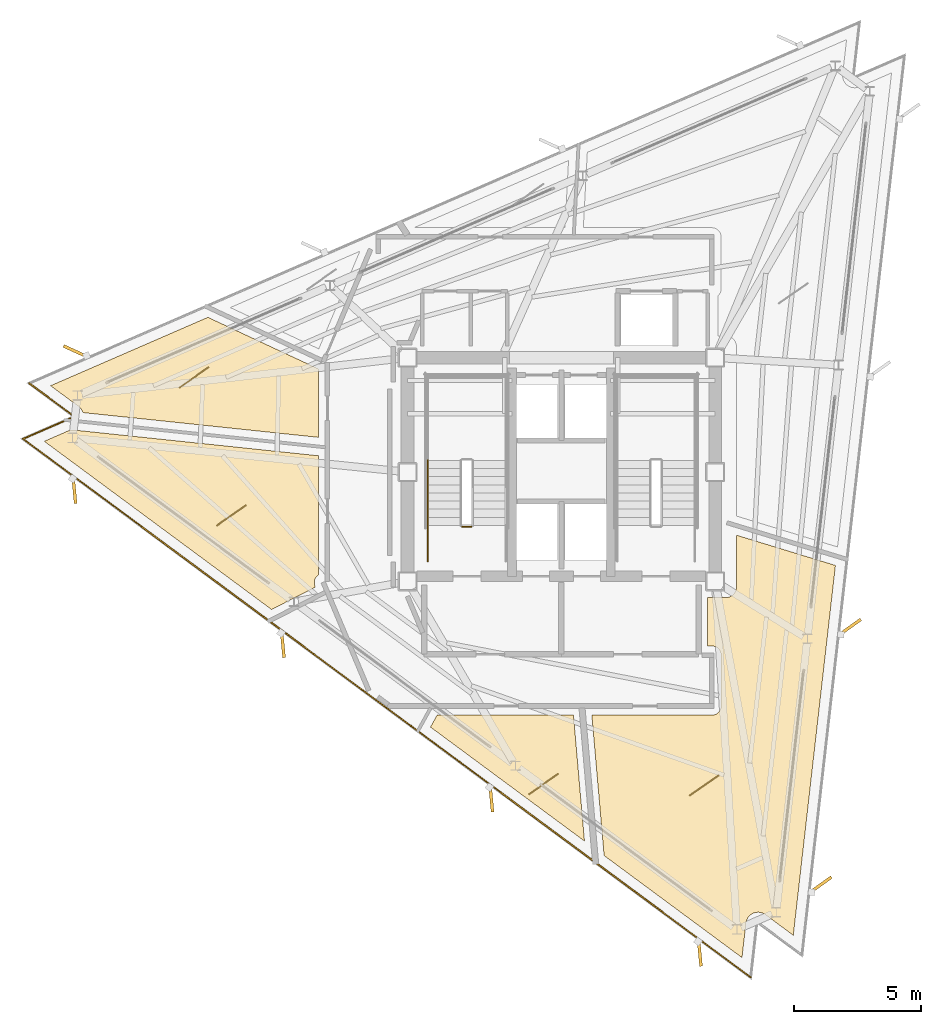
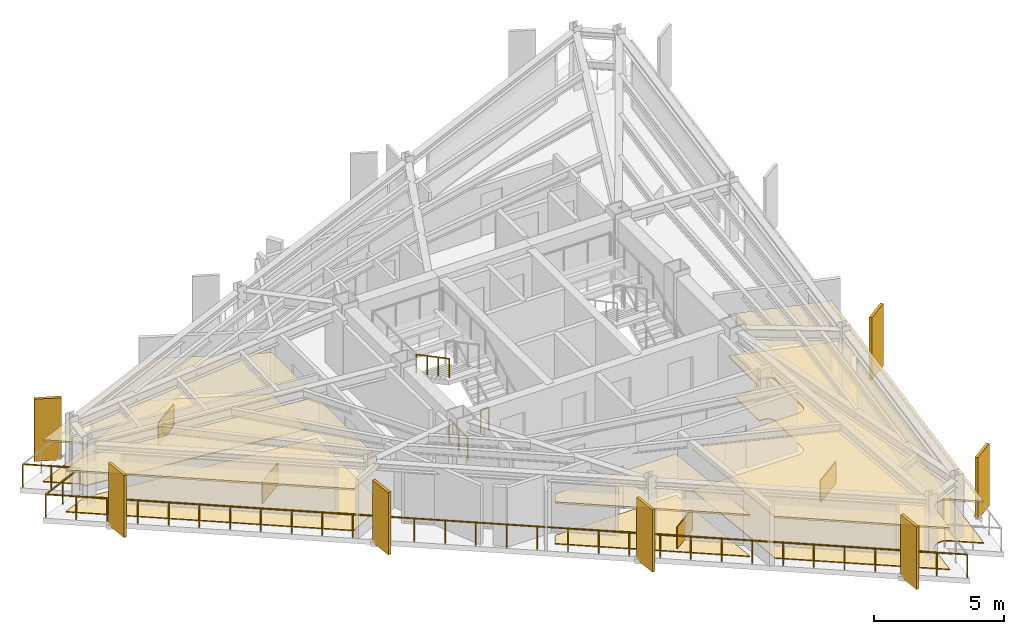
# One storey, part 8 of 10: 12 coverings, 7 shading devices, 4 railings.
"""IFC4 building model written with IfcOpenShell, lengths in metres."""

from ifc_helpers import new_model, si_unit, direction, frame, origin, origin_2d, place, context, subcontext, project, spatial, polyline, rectangle, outline, extrude, material, layer, layer_set, type_object, element, save


model = new_model("IFC4")

# Units and contexts
model_context = context("Model", 3, precision=1e-05, world=origin(), true_north=direction((0.0, 1.0)))
body_context = subcontext(model_context, "Body", "Model", "MODEL_VIEW")
ifc_project = project(units=[si_unit("LENGTHUNIT", "METRE"), si_unit("AREAUNIT", "SQUARE_METRE"), si_unit("VOLUMEUNIT", "CUBIC_METRE"), si_unit("PLANEANGLEUNIT", "RADIAN"), si_unit("MASSUNIT", "GRAM", prefix="KILO")], contexts=[model_context])

# Site, building, storey
site_placement = place(None, origin())
site = spatial("IfcSite", under=ifc_project, at=site_placement, CompositionType="ELEMENT")
building_placement = place(site_placement, origin())
building = spatial("IfcBuilding", under=site, at=building_placement, Name="Rocaltana Carrier Exchange", CompositionType="ELEMENT")
storey_placement = place(building_placement, frame((0.0, 0.0, 227.0400390625)))
storey = spatial("IfcBuildingStorey", under=building, at=storey_placement, Name="L72", CompositionType="ELEMENT", Elevation=227.0400390625)

# Coverings
ifc_material_1 = material(Name="Honed Bogota Sandstone Tile", Category="masonry")
ifc_layer_1 = layer(ifc_material_1, 0.0400390625)
ifc_layer_set_1 = layer_set([ifc_layer_1], Name="Honed Bogota Sandstone Tile")
covering_type_1 = type_object("IfcCoveringType", Name="Honed Stone Lobby Flooring 40", PredefinedType="FLOORING", material=ifc_layer_set_1)
covering_1_placement = place(storey_placement, origin())
element("IfcCovering", 1, at=covering_1_placement, inside=storey, type_object=covering_type_1, Name="L72 Client Reception Foyer Finish Floor", PredefinedType="FLOORING", context=body_context, shape_type="SweptSolid", body=[
    extrude(outline(polyline([(-19.29052734375, 1.66552734375), (-9.56005859375, 0.642822265625), (-9.56005859375, -4.052001953125), (-9.57177734375, -4.06005859375), (-9.578125, -4.064697265625), (-9.59912109375, -4.082275390625), (-9.60498046875, -4.087646484375), (-9.624267578125, -4.107177734375), (-9.629638671875, -4.113037109375), (-9.64697265625, -4.134521484375), (-9.651611328125, -4.140625), (-9.666748046875, -4.16357421875), (-9.670654296875, -4.17041015625), (-9.68359375, -4.194580078125), (-9.686767578125, -4.201904296875), (-9.697265625, -4.227294921875), (-9.69970703125, -4.234619140625), (-9.70751953125, -4.260986328125), (-9.70947265625, -4.2685546875), (-9.714599609375, -4.295654296875), (-9.7158203125, -4.30322265625), (-9.718505859375, -4.330810546875), (-9.71875, -4.33837890625), (-9.718505859375, -4.365966796875), (-9.71826171875, -4.373779296875), (-9.71533203125, -4.401123046875), (-9.714111328125, -4.408935546875), (-9.70849609375, -4.435791015625), (-9.706787109375, -4.443603515625), (-9.698486328125, -4.4697265625), (-9.69580078125, -4.47705078125), (-9.69091796875, -4.489990234375), (-9.67578125, -4.52587890625), (-11.3994140625, -5.404296875), (-20.337890625, 1.210205078125), (-19.29052734375, 1.66552734375)])), origin(), (0.0, 0.0, 1.0), 0.0400390625),
])
covering_2_placement = place(storey_placement, origin())
element("IfcCovering", 2, at=covering_2_placement, inside=storey, type_object=covering_type_1, Name="L72 Staff Break Pantry Finish Floor", PredefinedType="FLOORING", context=body_context, shape_type="SweptSolid", body=[
    extrude(outline(polyline([(0.47509765625, -9.56005859375), (0.908203125, -14.51123046875), (-5.14794921875, -10.02978515625), (-4.8876953125, -9.56005859375), (0.47509765625, -9.56005859375)])), origin(), (0.0, 0.0, 1.0), 0.0400390625),
])
covering_3_placement = place(storey_placement, origin())
element("IfcCovering", 3, at=covering_3_placement, inside=storey, type_object=covering_type_1, Name="L72 Client Reception Foyer Finish Floor", PredefinedType="FLOORING", context=body_context, shape_type="SweptSolid", body=[
    extrude(outline(polyline([(5.739990234375, -6.840087890625), (5.739990234375, -4.93994140625), (6.449951171875, -4.93994140625), (6.463623046875, -4.939697265625), (6.4794921875, -4.93896484375), (6.5068359375, -4.936279296875), (6.522216796875, -4.933837890625), (6.54931640625, -4.928466796875), (6.564453125, -4.9248046875), (6.5908203125, -4.916748046875), (6.605712890625, -4.91162109375), (6.630859375, -4.90087890625), (6.64501953125, -4.894287109375), (6.66943359375, -4.88134765625), (6.682861328125, -4.873291015625), (6.705810546875, -4.85791015625), (6.71826171875, -4.8486328125), (6.739501953125, -4.8310546875), (6.751220703125, -4.820556640625), (6.7705078125, -4.80126953125), (6.781005859375, -4.78955078125), (6.798583984375, -4.768310546875), (6.807861328125, -4.755615234375), (6.8232421875, -4.73291015625), (6.831298828125, -4.719482421875), (6.84423828125, -4.695068359375), (6.850830078125, -4.680908203125), (6.861572265625, -4.655517578125), (6.86669921875, -4.640869140625), (6.874755859375, -4.614501953125), (6.87841796875, -4.59912109375), (6.8837890625, -4.572265625), (6.88623046875, -4.556884765625), (6.888916015625, -4.529296875), (6.8896484375, -4.513671875), (6.889892578125, -4.5), (6.889892578125, -2.48291015625), (10.7783203125, -3.671630859375), (9.12109375, -18.21826171875), (8.020751953125, -17.404052734375), (8.009521484375, -17.39599609375), (7.992919921875, -17.385009765625), (7.96875, -17.370849609375), (7.951171875, -17.361572265625), (7.92578125, -17.349609375), (7.907470703125, -17.342041015625), (7.881103515625, -17.332763671875), (7.862060546875, -17.3271484375), (7.8349609375, -17.320556640625), (7.815185546875, -17.31689453125), (7.78759765625, -17.31298828125), (7.767822265625, -17.311279296875), (7.739990234375, -17.310302734375), (7.719970703125, -17.310302734375), (7.692138671875, -17.31201171875), (7.67236328125, -17.314208984375), (7.644775390625, -17.31884765625), (7.625244140625, -17.322998046875), (7.59814453125, -17.330078125), (7.579345703125, -17.336181640625), (7.552978515625, -17.34619140625), (7.534912109375, -17.35400390625), (7.509765625, -17.366455078125), (7.492431640625, -17.376220703125), (7.46875, -17.39111328125), (7.452392578125, -17.40234375), (7.430419921875, -17.41943359375), (7.415283203125, -17.4326171875), (7.39501953125, -17.45166015625), (7.381103515625, -17.466064453125), (7.363037109375, -17.4873046875), (7.3505859375, -17.5029296875), (7.334716796875, -17.52587890625), (7.32421875, -17.542724609375), (7.310302734375, -17.56689453125), (7.301513671875, -17.5849609375), (7.290283203125, -17.6103515625), (7.283203125, -17.629150390625), (7.274658203125, -17.655517578125), (7.26953125, -17.6748046875), (7.263671875, -17.7021484375), (7.26025390625, -17.7216796875), (7.25830078125, -17.735595703125), (7.103515625, -19.095458984375), (1.680908203125, -15.0830078125), (1.19775390625, -9.56005859375), (5.919921875, -9.56005859375), (5.93359375, -9.559814453125), (5.941650390625, -9.559326171875), (5.968994140625, -9.556640625), (5.976806640625, -9.555419921875), (6.003662109375, -9.550048828125), (6.01123046875, -9.548095703125), (6.03759765625, -9.540283203125), (6.044921875, -9.53759765625), (6.0703125, -9.527099609375), (6.077392578125, -9.523681640625), (6.101806640625, -9.5107421875), (6.1083984375, -9.506591796875), (6.131103515625, -9.491455078125), (6.137451171875, -9.48681640625), (6.15869140625, -9.46923828125), (6.16455078125, -9.464111328125), (6.18408203125, -9.444580078125), (6.189208984375, -9.438720703125), (6.206787109375, -9.41748046875), (6.21142578125, -9.4111328125), (6.226806640625, -9.388427734375), (6.230712890625, -9.381591796875), (6.24365234375, -9.357421875), (6.2470703125, -9.350341796875), (6.257568359375, -9.324951171875), (6.26025390625, -9.317626953125), (6.268310546875, -9.291259765625), (6.27001953125, -9.28369140625), (6.275390625, -9.256591796875), (6.276611328125, -9.248779296875), (6.279296875, -9.2216796875), (6.27978515625, -9.213623046875), (6.280029296875, -9.199951171875), (6.280029296875, -7.199951171875), (6.27978515625, -7.186279296875), (6.279296875, -7.178466796875), (6.276611328125, -7.151123046875), (6.275390625, -7.143310546875), (6.27001953125, -7.116455078125), (6.268310546875, -7.108642578125), (6.26025390625, -7.08251953125), (6.257568359375, -7.0751953125), (6.2470703125, -7.0498046875), (6.24365234375, -7.04248046875), (6.230712890625, -7.018310546875), (6.226806640625, -7.01171875), (6.21142578125, -6.98876953125), (6.206787109375, -6.982421875), (6.189208984375, -6.961181640625), (6.18408203125, -6.955322265625), (6.16455078125, -6.93603515625), (6.15869140625, -6.9306640625), (6.137451171875, -6.913330078125), (6.131103515625, -6.90869140625), (6.1083984375, -6.893310546875), (6.101806640625, -6.889404296875), (6.077392578125, -6.876220703125), (6.0703125, -6.873046875), (6.044921875, -6.862548828125), (6.03759765625, -6.85986328125), (6.01123046875, -6.851806640625), (6.003662109375, -6.849853515625), (5.976806640625, -6.844482421875), (5.968994140625, -6.843505859375), (5.941650390625, -6.8408203125), (5.93359375, -6.84033203125), (5.919921875, -6.840087890625), (5.739990234375, -6.840087890625)])), origin(), (0.0, 0.0, 1.0), 0.0400390625),
])
covering_4_placement = place(storey_placement, origin())
element("IfcCovering", 4, at=covering_4_placement, inside=storey, type_object=covering_type_1, Name="L72 Client Reception Foyer Finish Floor", PredefinedType="FLOORING", context=body_context, shape_type="SweptSolid", body=[
    extrude(outline(polyline([(-18.81640625, 2.339599609375), (-18.81689453125, 2.3408203125), (-18.825927734375, 2.366943359375), (-18.83349609375, 2.385498046875), (-18.84521484375, 2.410888671875), (-18.8544921875, 2.428466796875), (-18.86865234375, 2.452392578125), (-18.879638671875, 2.468994140625), (-18.896240234375, 2.49169921875), (-18.908935546875, 2.507080078125), (-18.927490234375, 2.52783203125), (-18.941650390625, 2.5419921875), (-18.96240234375, 2.560546875), (-18.977783203125, 2.5732421875), (-18.98876953125, 2.581787109375), (-20.089111328125, 3.39599609375), (-13.90283203125, 6.085693359375), (-9.58984375, 4.07470703125), (-9.578125, 4.064697265625), (-9.57177734375, 4.06005859375), (-9.56005859375, 4.052001953125), (-9.56005859375, 1.36669921875), (-18.81640625, 2.339599609375)])), origin(), (0.0, 0.0, 1.0), 0.0400390625),
])
ifc_material_2 = material(Name="Anodised Aluminium 6063-T6", Category="aluminium")
ifc_layer_2 = layer(ifc_material_2, 0.0849609375)
ifc_layer_set_2 = layer_set([ifc_layer_2], Name="Anodised Aluminium 6063-T6")
covering_type_2 = type_object("IfcCoveringType", Name="Linear Baffle Acoustic Ceiling 85", PredefinedType="CEILING", material=ifc_layer_set_2)
covering_5_placement = place(storey_placement, frame((0.0, 0.0, 1.903076171875)))
element("IfcCovering", 5, at=covering_5_placement, inside=storey, type_object=covering_type_2, Name="L72 Client Reception Foyer Acoustic Ceiling", PredefinedType="CEILING", context=body_context, shape_type="SweptSolid", body=[
    extrude(outline(polyline([(-19.29052734375, 1.66552734375), (-9.56005859375, 0.642822265625), (-9.56005859375, -4.052001953125), (-9.57177734375, -4.06005859375), (-9.578125, -4.064697265625), (-9.59912109375, -4.082275390625), (-9.60498046875, -4.087646484375), (-9.624267578125, -4.107177734375), (-9.629638671875, -4.113037109375), (-9.64697265625, -4.134521484375), (-9.651611328125, -4.140625), (-9.666748046875, -4.16357421875), (-9.670654296875, -4.17041015625), (-9.68359375, -4.194580078125), (-9.686767578125, -4.201904296875), (-9.697265625, -4.227294921875), (-9.69970703125, -4.234619140625), (-9.70751953125, -4.260986328125), (-9.70947265625, -4.2685546875), (-9.714599609375, -4.295654296875), (-9.7158203125, -4.30322265625), (-9.718505859375, -4.330810546875), (-9.71875, -4.33837890625), (-9.718505859375, -4.365966796875), (-9.71826171875, -4.373779296875), (-9.71533203125, -4.401123046875), (-9.714111328125, -4.408935546875), (-9.70849609375, -4.435791015625), (-9.706787109375, -4.443603515625), (-9.698486328125, -4.4697265625), (-9.69580078125, -4.47705078125), (-9.69091796875, -4.489990234375), (-9.67578125, -4.52587890625), (-11.3994140625, -5.404296875), (-20.337890625, 1.210205078125), (-19.29052734375, 1.66552734375)])), origin(), (0.0, 0.0, 1.0), 0.0849609375),
])
covering_6_placement = place(storey_placement, frame((0.0, 0.0, 1.903076171875)))
element("IfcCovering", 6, at=covering_6_placement, inside=storey, type_object=covering_type_2, Name="L72 Staff Break Pantry Acoustic Ceiling", PredefinedType="CEILING", context=body_context, shape_type="SweptSolid", body=[
    extrude(outline(polyline([(0.47509765625, -9.56005859375), (0.908203125, -14.51123046875), (-5.14794921875, -10.02978515625), (-4.8876953125, -9.56005859375), (0.47509765625, -9.56005859375)])), origin(), (0.0, 0.0, 1.0), 0.0849609375),
])
covering_7_placement = place(storey_placement, frame((0.0, 0.0, 1.903076171875)))
element("IfcCovering", 7, at=covering_7_placement, inside=storey, type_object=covering_type_2, Name="L72 Client Reception Foyer Acoustic Ceiling", PredefinedType="CEILING", context=body_context, shape_type="SweptSolid", body=[
    extrude(outline(polyline([(5.739990234375, -6.840087890625), (5.739990234375, -4.93994140625), (6.449951171875, -4.93994140625), (6.463623046875, -4.939697265625), (6.4794921875, -4.93896484375), (6.5068359375, -4.936279296875), (6.522216796875, -4.933837890625), (6.54931640625, -4.928466796875), (6.564453125, -4.9248046875), (6.5908203125, -4.916748046875), (6.605712890625, -4.91162109375), (6.630859375, -4.90087890625), (6.64501953125, -4.894287109375), (6.66943359375, -4.88134765625), (6.682861328125, -4.873291015625), (6.705810546875, -4.85791015625), (6.71826171875, -4.8486328125), (6.739501953125, -4.8310546875), (6.751220703125, -4.820556640625), (6.7705078125, -4.80126953125), (6.781005859375, -4.78955078125), (6.798583984375, -4.768310546875), (6.807861328125, -4.755615234375), (6.8232421875, -4.73291015625), (6.831298828125, -4.719482421875), (6.84423828125, -4.695068359375), (6.850830078125, -4.680908203125), (6.861572265625, -4.655517578125), (6.86669921875, -4.640869140625), (6.874755859375, -4.614501953125), (6.87841796875, -4.59912109375), (6.8837890625, -4.572265625), (6.88623046875, -4.556884765625), (6.888916015625, -4.529296875), (6.8896484375, -4.513671875), (6.889892578125, -4.5), (6.889892578125, -2.48291015625), (10.7783203125, -3.671630859375), (9.12109375, -18.21826171875), (8.020751953125, -17.404052734375), (8.009521484375, -17.39599609375), (7.992919921875, -17.385009765625), (7.96875, -17.370849609375), (7.951171875, -17.361572265625), (7.92578125, -17.349609375), (7.907470703125, -17.342041015625), (7.881103515625, -17.332763671875), (7.862060546875, -17.3271484375), (7.8349609375, -17.320556640625), (7.815185546875, -17.31689453125), (7.78759765625, -17.31298828125), (7.767822265625, -17.311279296875), (7.739990234375, -17.310302734375), (7.719970703125, -17.310302734375), (7.692138671875, -17.31201171875), (7.67236328125, -17.314208984375), (7.644775390625, -17.31884765625), (7.625244140625, -17.322998046875), (7.59814453125, -17.330078125), (7.579345703125, -17.336181640625), (7.552978515625, -17.34619140625), (7.534912109375, -17.35400390625), (7.509765625, -17.366455078125), (7.492431640625, -17.376220703125), (7.46875, -17.39111328125), (7.452392578125, -17.40234375), (7.430419921875, -17.41943359375), (7.415283203125, -17.4326171875), (7.39501953125, -17.45166015625), (7.381103515625, -17.466064453125), (7.363037109375, -17.4873046875), (7.3505859375, -17.5029296875), (7.334716796875, -17.52587890625), (7.32421875, -17.542724609375), (7.310302734375, -17.56689453125), (7.301513671875, -17.5849609375), (7.290283203125, -17.6103515625), (7.283203125, -17.629150390625), (7.274658203125, -17.655517578125), (7.26953125, -17.6748046875), (7.263671875, -17.7021484375), (7.26025390625, -17.7216796875), (7.25830078125, -17.735595703125), (7.103515625, -19.095458984375), (1.680908203125, -15.0830078125), (1.19775390625, -9.56005859375), (5.919921875, -9.56005859375), (5.93359375, -9.559814453125), (5.941650390625, -9.559326171875), (5.968994140625, -9.556640625), (5.976806640625, -9.555419921875), (6.003662109375, -9.550048828125), (6.01123046875, -9.548095703125), (6.03759765625, -9.540283203125), (6.044921875, -9.53759765625), (6.0703125, -9.527099609375), (6.077392578125, -9.523681640625), (6.101806640625, -9.5107421875), (6.1083984375, -9.506591796875), (6.131103515625, -9.491455078125), (6.137451171875, -9.48681640625), (6.15869140625, -9.46923828125), (6.16455078125, -9.464111328125), (6.18408203125, -9.444580078125), (6.189208984375, -9.438720703125), (6.206787109375, -9.41748046875), (6.21142578125, -9.4111328125), (6.226806640625, -9.388427734375), (6.230712890625, -9.381591796875), (6.24365234375, -9.357421875), (6.2470703125, -9.350341796875), (6.257568359375, -9.324951171875), (6.26025390625, -9.317626953125), (6.268310546875, -9.291259765625), (6.27001953125, -9.28369140625), (6.275390625, -9.256591796875), (6.276611328125, -9.248779296875), (6.279296875, -9.2216796875), (6.27978515625, -9.213623046875), (6.280029296875, -9.199951171875), (6.280029296875, -7.199951171875), (6.27978515625, -7.186279296875), (6.279296875, -7.178466796875), (6.276611328125, -7.151123046875), (6.275390625, -7.143310546875), (6.27001953125, -7.116455078125), (6.268310546875, -7.108642578125), (6.26025390625, -7.08251953125), (6.257568359375, -7.0751953125), (6.2470703125, -7.0498046875), (6.24365234375, -7.04248046875), (6.230712890625, -7.018310546875), (6.226806640625, -7.01171875), (6.21142578125, -6.98876953125), (6.206787109375, -6.982421875), (6.189208984375, -6.961181640625), (6.18408203125, -6.955322265625), (6.16455078125, -6.93603515625), (6.15869140625, -6.9306640625), (6.137451171875, -6.913330078125), (6.131103515625, -6.90869140625), (6.1083984375, -6.893310546875), (6.101806640625, -6.889404296875), (6.077392578125, -6.876220703125), (6.0703125, -6.873046875), (6.044921875, -6.862548828125), (6.03759765625, -6.85986328125), (6.01123046875, -6.851806640625), (6.003662109375, -6.849853515625), (5.976806640625, -6.844482421875), (5.968994140625, -6.843505859375), (5.941650390625, -6.8408203125), (5.93359375, -6.84033203125), (5.919921875, -6.840087890625), (5.739990234375, -6.840087890625)])), origin(), (0.0, 0.0, 1.0), 0.0849609375),
])
covering_8_placement = place(storey_placement, frame((0.0, 0.0, 1.903076171875)))
element("IfcCovering", 8, at=covering_8_placement, inside=storey, type_object=covering_type_2, Name="L72 Client Reception Foyer Acoustic Ceiling", PredefinedType="CEILING", context=body_context, shape_type="SweptSolid", body=[
    extrude(outline(polyline([(-18.81640625, 2.339599609375), (-18.81689453125, 2.3408203125), (-18.825927734375, 2.366943359375), (-18.83349609375, 2.385498046875), (-18.84521484375, 2.410888671875), (-18.8544921875, 2.428466796875), (-18.86865234375, 2.452392578125), (-18.879638671875, 2.468994140625), (-18.896240234375, 2.49169921875), (-18.908935546875, 2.507080078125), (-18.927490234375, 2.52783203125), (-18.941650390625, 2.5419921875), (-18.96240234375, 2.560546875), (-18.977783203125, 2.5732421875), (-18.98876953125, 2.581787109375), (-20.089111328125, 3.39599609375), (-13.90283203125, 6.085693359375), (-9.58984375, 4.07470703125), (-9.578125, 4.064697265625), (-9.57177734375, 4.06005859375), (-9.56005859375, 4.052001953125), (-9.56005859375, 1.36669921875), (-18.81640625, 2.339599609375)])), origin(), (0.0, 0.0, 1.0), 0.0849609375),
])

# Railings
ifc_material_3 = material(Name="Brushed Architectural Stainless Tube", Category="steel")
ifc_layer_3 = layer(ifc_material_3, 0.048095703125)
ifc_layer_set_3 = layer_set([ifc_layer_3], Name="Brushed Architectural Stainless Tube")
railing_type_1 = type_object("IfcRailingType", Name="Stair Wall Handrail 920", PredefinedType="HANDRAIL", material=ifc_layer_set_3)
railing_1_placement = place(storey_placement, frame((-5.25, 0.4599609375, 1.68896484375)))
element("IfcRailing", 9, at=railing_1_placement, inside=storey, type_object=railing_type_1, Name="L72 ST-1 stair handrail 2", PredefinedType="HANDRAIL", context=body_context, shape_type="SweptSolid", body=[
    extrude(rectangle(XDim=0.048095703125, YDim=0.048095703125, at=origin_2d()), frame((0.0, 0.0, 0.8759765625), z_axis=(0.0, -0.884394423565, 0.466740295633), x_axis=(1.0, 0.0, 0.0)), (0.0, 0.0, 1.0), 2.894775390625),
    extrude(rectangle(XDim=0.0419921875, YDim=0.0419921875, at=origin_2d()), origin(), (0.0, 0.0, 1.0), 0.851806640625),
    extrude(rectangle(XDim=0.0419921875, YDim=0.0419921875, at=origin_2d()), frame((0.0, -0.853271484375, 0.450439453125)), (0.0, 0.0, 1.0), 0.851806640625),
    extrude(rectangle(XDim=0.0419921875, YDim=0.0419921875, at=origin_2d()), frame((0.0, -1.706787109375, 0.900634765625)), (0.0, 0.0, 1.0), 0.851806640625),
    extrude(rectangle(XDim=0.0419921875, YDim=0.0419921875, at=origin_2d()), frame((0.0, -2.56005859375, 1.35107421875)), (0.0, 0.0, 1.0), 0.851806640625),
])
ifc_material_4 = material(Name="Powder-Coated Aluminium 6063-T6", Category="aluminium")
ifc_layer_4 = layer(ifc_material_4, 0.048095703125)
ifc_layer_set_4 = layer_set([ifc_layer_4], Name="Powder-Coated Aluminium 6063-T6")
railing_type_2 = type_object("IfcRailingType", Name="Stair Well Guardrail 1100", PredefinedType="GUARDRAIL", material=ifc_layer_set_4)
railing_2_placement = place(storey_placement, frame((-3.5400390625, -2.14990234375, 0.0)))
element("IfcRailing", 10, at=railing_2_placement, inside=storey, type_object=railing_type_2, Name="L72 ST-1 stair guard 7", PredefinedType="GUARDRAIL", context=body_context, shape_type="SweptSolid", body=[
    extrude(rectangle(XDim=0.048095703125, YDim=0.048095703125, at=origin_2d()), frame((0.0, 0.0, 1.076171875), z_axis=(-1.0, 0.0, 0.0), x_axis=(0.0, -1.0, 0.0)), (0.0, 0.0, 1.0), 0.35986328125),
    extrude(rectangle(XDim=0.0419921875, YDim=0.0419921875, at=origin_2d()), origin(), (0.0, 0.0, 1.0), 1.052001953125),
    extrude(rectangle(XDim=0.0419921875, YDim=0.0419921875, at=origin_2d()), frame((-0.35986328125, 0.0, 0.0)), (0.0, 0.0, 1.0), 1.052001953125),
])
railing_3_placement = place(storey_placement, frame((-5.25, -3.5, 0.0)))
element("IfcRailing", 11, at=railing_3_placement, inside=storey, type_object=railing_type_2, Name="L72 ST-1 stair guard 9", PredefinedType="GUARDRAIL", context=body_context, shape_type="SweptSolid", body=[
    extrude(rectangle(XDim=0.048095703125, YDim=0.048095703125, at=origin_2d()), frame((0.0, 0.0, 1.076171875), z_axis=(0.0, 1.0, 0.0), x_axis=(-1.0, 0.0, 0.0)), (0.0, 0.0, 1.0), 1.39990234375),
    extrude(rectangle(XDim=0.0419921875, YDim=0.0419921875, at=origin_2d()), origin(), (0.0, 0.0, 1.0), 1.052001953125),
    extrude(rectangle(XDim=0.0419921875, YDim=0.0419921875, at=origin_2d()), frame((0.0, 0.699951171875, 0.0)), (0.0, 0.0, 1.0), 1.052001953125),
    extrude(rectangle(XDim=0.0419921875, YDim=0.0419921875, at=origin_2d()), frame((0.0, 1.39990234375, 0.0)), (0.0, 0.0, 1.0), 1.052001953125),
])

# Coverings
ifc_material_5 = material(Name="Honed Piedra Muneca Sandstone", Category="masonry")
ifc_layer_5 = layer(ifc_material_5, 0.034912109375)
ifc_layer_set_5 = layer_set([ifc_layer_5], Name="Honed Piedra Muneca Sandstone")
covering_type_3 = type_object("IfcCoveringType", Name="Stone Facade Cladding 35", PredefinedType="CLADDING", material=ifc_layer_set_5)
for number, where, z_axis, x_axis, name in (
    (12, (-12.9794921875, -1.70458984375, 0.0), (0.0, 0.0, 1.0), (0.819152044289, 0.573576436351, 0.0), "L72 Stone Facade Cladding Panel 1"),
    (13, (-0.703857421875, -12.2705078125, 0.0), (0.0, 0.0, 1.0), (0.819152044289, 0.573576436351, 0.0), "L72 Stone Facade Cladding Panel 2"),
    (14, (5.6162109375, -12.321533203125, 0.0), (0.0, 0.0, 1.0), (0.819152044289, 0.573576436351, 0.0), "L72 Stone Facade Cladding Panel 3"),
    (15, (-14.447265625, 3.72412109375, 0.0), (0.0, 0.0, 1.0), (0.819152044289, 0.573576436351, 0.0), "L72 Stone Facade Cladding Panel 7"),
):
    element("IfcCovering", number, at=place(storey_placement, frame(where, z_axis=z_axis, x_axis=x_axis)), inside=storey, type_object=covering_type_3, Name=name, PredefinedType="CLADDING", context=body_context, shape_type="SweptSolid", body=[
        extrude(rectangle(XDim=1.39990234375, YDim=0.034912109375, at=origin_2d()), origin(), (0.0, 0.0, 1.0), 1.050048828125),
    ])

# Shading devices
ifc_material_6 = material(Name="Honed Bogota Sandstone & Concrete C45/55", Category="masonry")
ifc_layer_6 = layer(ifc_material_6, 0.1201171875)
ifc_layer_set_6 = layer_set([ifc_layer_6], Name="Honed Bogota Sandstone & Concrete C45/55")
shading_device_type = type_object("IfcShadingDeviceType", Name="Upper Sandstone Shading Fin 1050x120", PredefinedType="USERDEFINED", material=ifc_layer_set_6)
for number, where, z_axis, x_axis, name in (
    (16, (10.193115234375, -16.233642578125, -0.1201171875), (0.0, 0.0, 1.0), (0.814115518356, 0.580702955711, 0.0), "L72 Sandstone Vertical Fin F1-01"),
    (17, (11.34765625, -6.099365234375, -0.1201171875), (0.0, 0.0, 1.0), (0.814115518356, 0.580702955711, 0.0), "L72 Sandstone Vertical Fin F1-02"),
    (18, (-19.099609375, 4.742431640625, -0.1201171875), (0.0, 0.0, 1.0), (-0.909961270877, 0.414693242656, 0.0), "L72 Sandstone Vertical Fin F2-04"),
    (19, (-19.1552734375, -0.71044921875, -0.1201171875), (0.0, 0.0, 1.0), (0.09584575252, -0.995396198367, 0.0), "L72 Sandstone Vertical Fin F3-01"),
    (20, (-10.955810546875, -6.777587890625, -0.1201171875), (0.0, 0.0, 1.0), (0.09584575252, -0.995396198367, 0.0), "L72 Sandstone Vertical Fin F3-02"),
    (21, (-2.756591796875, -12.844970703125, -0.1201171875), (0.0, 0.0, 1.0), (0.09584575252, -0.995396198367, 0.0), "L72 Sandstone Vertical Fin F3-03"),
    (22, (5.442626953125, -18.912109375, -0.1201171875), (0.0, 0.0, 1.0), (0.09584575252, -0.995396198367, 0.0), "L72 Sandstone Vertical Fin F3-04"),
):
    element("IfcShadingDevice", number, at=place(storey_placement, frame(where, z_axis=z_axis, x_axis=x_axis)), inside=storey, type_object=shading_device_type, Name=name, ObjectType="FIN", PredefinedType="USERDEFINED", context=body_context, shape_type="SweptSolid", body=[
        extrude(rectangle(XDim=1.050048828125, YDim=0.1201171875, at=origin_2d()), origin(), (0.0, 0.0, 1.0), 2.91796875),
    ])

# Railing
ifc_material_7 = material(Name="Powder-Coated Aluminium 6063-T6", Category="aluminium")
ifc_layer_7 = layer(ifc_material_7, 0.06005859375)
ifc_layer_set_7 = layer_set([ifc_layer_7], Name="Powder-Coated Aluminium 6063-T6")
railing_type_3 = type_object("IfcRailingType", Name="Wind-Floor & Terrace Perimeter Guardrail 1100", PredefinedType="GUARDRAIL", material=ifc_layer_set_7)
railing_4_placement = place(storey_placement, frame((7.4384765625, -19.865966796875, 0.0)))
element("IfcRailing", 23, at=railing_4_placement, inside=storey, type_object=railing_type_3, Name="L72 Perimeter Balcony Guardrail 1", PredefinedType="GUARDRAIL", context=body_context, shape_type="SweptSolid", body=[
    extrude(rectangle(XDim=0.048095703125, YDim=0.048095703125, at=origin_2d()), frame((0.0, 0.0, 1.076171875), z_axis=(-0.803856133623, 0.594823769226, 0.0), x_axis=(-0.594823769226, -0.803856133623, 0.0)), (0.0, 0.0, 1.0), 35.59228515625),
    extrude(rectangle(XDim=0.048095703125, YDim=0.048095703125, at=origin_2d()), frame((-28.611083984375, 21.171142578125, 1.076171875), z_axis=(0.917071820503, 0.398722053614, 0.0), x_axis=(-0.398722053614, 0.917071820503, 0.0)), (0.0, 0.0, 1.0), 2.199951171875),
    extrude(rectangle(XDim=0.048095703125, YDim=0.048095703125, at=origin_2d()), frame((-26.593505859375, 22.04833984375, 1.076171875), z_axis=(-0.803871612758, 0.59480284986, 0.0), x_axis=(-0.59480284986, -0.803871612758, 0.0)), (0.0, 0.0, 1.0), 2.199951171875),
    extrude(rectangle(XDim=0.0419921875, YDim=0.0419921875, at=origin_2d()), origin(), (0.0, 0.0, 1.0), 1.052001953125),
    extrude(rectangle(XDim=0.0419921875, YDim=0.0419921875, at=origin_2d()), frame((-0.95361328125, 0.705810546875, 0.0)), (0.0, 0.0, 1.0), 1.052001953125),
    extrude(rectangle(XDim=0.0419921875, YDim=0.0419921875, at=origin_2d()), frame((-1.907470703125, 1.411376953125, 0.0)), (0.0, 0.0, 1.0), 1.052001953125),
    extrude(rectangle(XDim=0.0419921875, YDim=0.0419921875, at=origin_2d()), frame((-2.861083984375, 2.1171875, 0.0)), (0.0, 0.0, 1.0), 1.052001953125),
    extrude(rectangle(XDim=0.0419921875, YDim=0.0419921875, at=origin_2d()), frame((-3.814697265625, 2.82275390625, 0.0)), (0.0, 0.0, 1.0), 1.052001953125),
    extrude(rectangle(XDim=0.0419921875, YDim=0.0419921875, at=origin_2d()), frame((-4.7685546875, 3.528564453125, 0.0)), (0.0, 0.0, 1.0), 1.052001953125),
    extrude(rectangle(XDim=0.0419921875, YDim=0.0419921875, at=origin_2d()), frame((-5.72216796875, 4.234130859375, 0.0)), (0.0, 0.0, 1.0), 1.052001953125),
    extrude(rectangle(XDim=0.0419921875, YDim=0.0419921875, at=origin_2d()), frame((-6.676025390625, 4.93994140625, 0.0)), (0.0, 0.0, 1.0), 1.052001953125),
    extrude(rectangle(XDim=0.0419921875, YDim=0.0419921875, at=origin_2d()), frame((-7.629638671875, 5.645751953125, 0.0)), (0.0, 0.0, 1.0), 1.052001953125),
    extrude(rectangle(XDim=0.0419921875, YDim=0.0419921875, at=origin_2d()), frame((-8.583251953125, 6.351318359375, 0.0)), (0.0, 0.0, 1.0), 1.052001953125),
    extrude(rectangle(XDim=0.0419921875, YDim=0.0419921875, at=origin_2d()), frame((-9.537109375, 7.05712890625, 0.0)), (0.0, 0.0, 1.0), 1.052001953125),
    extrude(rectangle(XDim=0.0419921875, YDim=0.0419921875, at=origin_2d()), frame((-10.49072265625, 7.7626953125, 0.0)), (0.0, 0.0, 1.0), 1.052001953125),
    extrude(rectangle(XDim=0.0419921875, YDim=0.0419921875, at=origin_2d()), frame((-11.4443359375, 8.468505859375, 0.0)), (0.0, 0.0, 1.0), 1.052001953125),
    extrude(rectangle(XDim=0.0419921875, YDim=0.0419921875, at=origin_2d()), frame((-12.398193359375, 9.174072265625, 0.0)), (0.0, 0.0, 1.0), 1.052001953125),
    extrude(rectangle(XDim=0.0419921875, YDim=0.0419921875, at=origin_2d()), frame((-13.351806640625, 9.8798828125, 0.0)), (0.0, 0.0, 1.0), 1.052001953125),
    extrude(rectangle(XDim=0.0419921875, YDim=0.0419921875, at=origin_2d()), frame((-14.3056640625, 10.58544921875, 0.0)), (0.0, 0.0, 1.0), 1.052001953125),
    extrude(rectangle(XDim=0.0419921875, YDim=0.0419921875, at=origin_2d()), frame((-15.25927734375, 11.291259765625, 0.0)), (0.0, 0.0, 1.0), 1.052001953125),
    extrude(rectangle(XDim=0.0419921875, YDim=0.0419921875, at=origin_2d()), frame((-16.212890625, 11.9970703125, 0.0)), (0.0, 0.0, 1.0), 1.052001953125),
    extrude(rectangle(XDim=0.0419921875, YDim=0.0419921875, at=origin_2d()), frame((-17.166748046875, 12.70263671875, 0.0)), (0.0, 0.0, 1.0), 1.052001953125),
    extrude(rectangle(XDim=0.0419921875, YDim=0.0419921875, at=origin_2d()), frame((-18.120361328125, 13.408447265625, 0.0)), (0.0, 0.0, 1.0), 1.052001953125),
    extrude(rectangle(XDim=0.0419921875, YDim=0.0419921875, at=origin_2d()), frame((-19.073974609375, 14.114013671875, 0.0)), (0.0, 0.0, 1.0), 1.052001953125),
    extrude(rectangle(XDim=0.0419921875, YDim=0.0419921875, at=origin_2d()), frame((-20.02783203125, 14.81982421875, 0.0)), (0.0, 0.0, 1.0), 1.052001953125),
    extrude(rectangle(XDim=0.0419921875, YDim=0.0419921875, at=origin_2d()), frame((-20.9814453125, 15.525390625, 0.0)), (0.0, 0.0, 1.0), 1.052001953125),
    extrude(rectangle(XDim=0.0419921875, YDim=0.0419921875, at=origin_2d()), frame((-21.93505859375, 16.231201171875, 0.0)), (0.0, 0.0, 1.0), 1.052001953125),
    extrude(rectangle(XDim=0.0419921875, YDim=0.0419921875, at=origin_2d()), frame((-22.888916015625, 16.93701171875, 0.0)), (0.0, 0.0, 1.0), 1.052001953125),
    extrude(rectangle(XDim=0.0419921875, YDim=0.0419921875, at=origin_2d()), frame((-23.842529296875, 17.642578125, 0.0)), (0.0, 0.0, 1.0), 1.052001953125),
    extrude(rectangle(XDim=0.0419921875, YDim=0.0419921875, at=origin_2d()), frame((-24.79638671875, 18.348388671875, 0.0)), (0.0, 0.0, 1.0), 1.052001953125),
    extrude(rectangle(XDim=0.0419921875, YDim=0.0419921875, at=origin_2d()), frame((-25.75, 19.053955078125, 0.0)), (0.0, 0.0, 1.0), 1.052001953125),
    extrude(rectangle(XDim=0.0419921875, YDim=0.0419921875, at=origin_2d()), frame((-26.70361328125, 19.759765625, 0.0)), (0.0, 0.0, 1.0), 1.052001953125),
    extrude(rectangle(XDim=0.0419921875, YDim=0.0419921875, at=origin_2d()), frame((-27.657470703125, 20.46533203125, 0.0)), (0.0, 0.0, 1.0), 1.052001953125),
    extrude(rectangle(XDim=0.0419921875, YDim=0.0419921875, at=origin_2d()), frame((-28.611083984375, 21.171142578125, 0.0)), (0.0, 0.0, 1.0), 1.052001953125),
    extrude(rectangle(XDim=0.0419921875, YDim=0.0419921875, at=origin_2d()), frame((-27.602294921875, 21.60986328125, 0.0)), (0.0, 0.0, 1.0), 1.052001953125),
    extrude(rectangle(XDim=0.0419921875, YDim=0.0419921875, at=origin_2d()), frame((-26.593505859375, 22.04833984375, 0.0)), (0.0, 0.0, 1.0), 1.052001953125),
    extrude(rectangle(XDim=0.0419921875, YDim=0.0419921875, at=origin_2d()), frame((-27.477783203125, 22.70263671875, 0.0)), (0.0, 0.0, 1.0), 1.052001953125),
    extrude(rectangle(XDim=0.0419921875, YDim=0.0419921875, at=origin_2d()), frame((-28.362060546875, 23.35693359375, 0.0)), (0.0, 0.0, 1.0), 1.052001953125),
])

save(model, "model.ifc")
